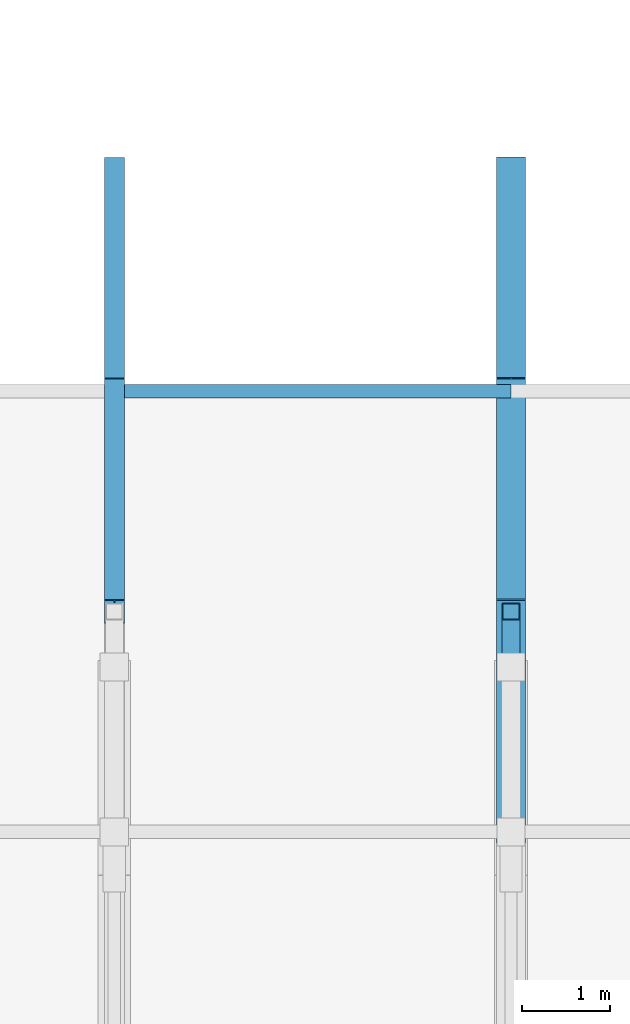
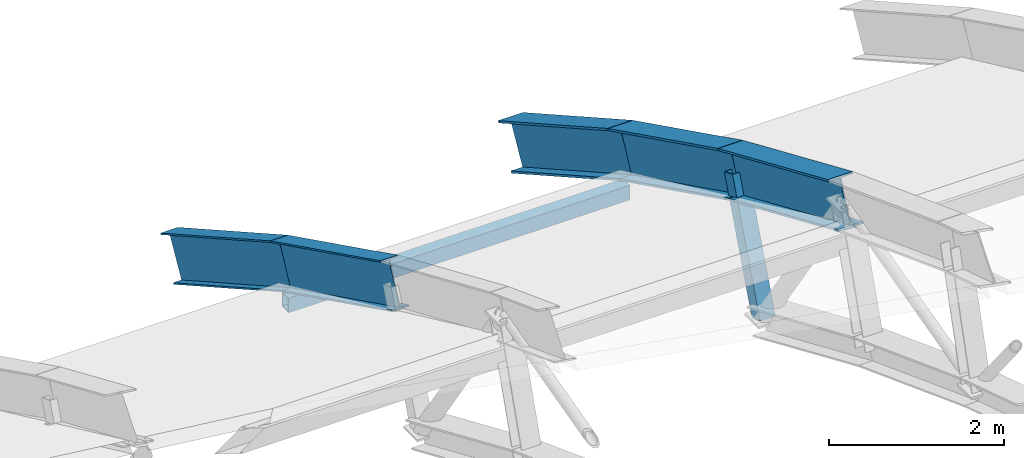
# One storey, part 49 of 103: 5 beams, 2 members.
"""IFC4 building model written with IfcOpenShell, lengths in metres."""

from ifc_helpers import new_model, si_unit, direction, frame, origin, origin_2d, place, context, subcontext, project, spatial, hollow_rectangle, i_section, extrude, material, material_profile, profile_set, type_object, element, save


model = new_model("IFC4")

# Units and contexts
model_context = context("Model", 3, precision=1e-05, world=origin(), true_north=direction((0.0, 1.0)))
body_context = subcontext(model_context, "Body", "Model", "MODEL_VIEW")
ifc_project = project(units=[si_unit("LENGTHUNIT", "METRE"), si_unit("AREAUNIT", "SQUARE_METRE"), si_unit("VOLUMEUNIT", "CUBIC_METRE"), si_unit("PLANEANGLEUNIT", "RADIAN"), si_unit("MASSUNIT", "GRAM", prefix="KILO")], contexts=[model_context])

# Site, building, storey
site_placement = place(None, origin())
site = spatial("IfcSite", under=ifc_project, at=site_placement, CompositionType="ELEMENT")
building_placement = place(site_placement, origin())
building = spatial("IfcBuilding", under=site, at=building_placement, Name="Cazmaro Siding Exhibition Halls", CompositionType="ELEMENT")
storey_placement = place(building_placement, frame((0.0, 0.0, 16.5)))
storey = spatial("IfcBuildingStorey", under=building, at=storey_placement, Name="L03", CompositionType="ELEMENT", Elevation=16.5)

# Beams
ifc_material_1 = material(Name="Steel ASTM A992 Grade 50", Category="steel")
ifc_material_profile_1 = material_profile(ifc_material_1, i_section(OverallWidth=0.327880859375, OverallDepth=0.626953125, WebThickness=0.01708984375, FlangeThickness=0.028076171875, at=origin_2d()), Name="W24X146")
ifc_profile_set_1 = profile_set([ifc_material_profile_1], Name="Steel ASTM A992 Grade 50")
beam_type_1 = type_object("IfcBeamType", Name="AR-01", PredefinedType="USERDEFINED", material=ifc_profile_set_1)
beam_1_placement = place(storey_placement, frame((126.0, 114.0, 3.1220703125), z_axis=(0.0, 0.917729918626, -0.397204980405), x_axis=(-1.0, 0.0, 0.0)))
element("IfcBeam", 1, at=beam_1_placement, inside=storey, type_object=beam_type_1, Name="Space frame barrel vault arched rib AR-01 BM-0987", ObjectType="ARCHED RIB", PredefinedType="USERDEFINED", context=body_context, shape_type="SweptSolid", body=[
    extrude(i_section(OverallWidth=0.327880859375, OverallDepth=0.626953125, WebThickness=0.01708984375, FlangeThickness=0.028076171875, at=origin_2d()), origin(), (0.0, 0.0, 1.0), 2.72412109375),
])
beam_2_placement = place(storey_placement, frame((126.0, 116.5, 2.0400390625), z_axis=(0.0, 0.895996638269, -0.444060833908), x_axis=(-1.0, 0.0, 0.0)))
element("IfcBeam", 2, at=beam_2_placement, inside=storey, type_object=beam_type_1, Name="Space frame barrel vault arched rib AR-01 BM-0988", ObjectType="ARCHED RIB", PredefinedType="USERDEFINED", context=body_context, shape_type="SweptSolid", body=[
    extrude(i_section(OverallWidth=0.327880859375, OverallDepth=0.626953125, WebThickness=0.01708984375, FlangeThickness=0.028076171875, at=origin_2d()), origin(), (0.0, 0.0, 1.0), 2.790283203125),
])
beam_3_placement = place(storey_placement, frame((126.0, 119.0, 0.801025390625), z_axis=(0.0, 0.871320907359, -0.490713639916), x_axis=(-1.0, 0.0, 0.0)))
element("IfcBeam", 3, at=beam_3_placement, inside=storey, type_object=beam_type_1, Name="Space frame barrel vault arched rib AR-01 BM-0989", ObjectType="ARCHED RIB", PredefinedType="USERDEFINED", context=body_context, shape_type="SweptSolid", body=[
    extrude(i_section(OverallWidth=0.327880859375, OverallDepth=0.626953125, WebThickness=0.01708984375, FlangeThickness=0.028076171875, at=origin_2d()), origin(), (0.0, 0.0, 1.0), 2.869140625),
])
ifc_material_2 = material(Name="Steel ASTM A992 Grade 50", Category="steel")
ifc_material_profile_2 = material_profile(ifc_material_2, i_section(OverallWidth=0.22900390625, OverallDepth=0.612060546875, WebThickness=0.011962890625, FlangeThickness=0.02001953125, at=origin_2d()), Name="W24X84")
ifc_profile_set_2 = profile_set([ifc_material_profile_2], Name="Steel ASTM A992 Grade 50")
beam_type_2 = type_object("IfcBeamType", Name="AR-03", PredefinedType="USERDEFINED", material=ifc_profile_set_2)
beam_4_placement = place(storey_placement, frame((121.5, 116.5, 2.0400390625), z_axis=(0.0, 0.895996638269, -0.444060833908), x_axis=(-1.0, 0.0, 0.0)))
element("IfcBeam", 4, at=beam_4_placement, inside=storey, type_object=beam_type_2, Name="Space frame barrel vault arched rib AR-03 BM-0964", ObjectType="ARCHED RIB", PredefinedType="USERDEFINED", context=body_context, shape_type="SweptSolid", body=[
    extrude(i_section(OverallWidth=0.22900390625, OverallDepth=0.612060546875, WebThickness=0.011962890625, FlangeThickness=0.02001953125, at=origin_2d()), origin(), (0.0, 0.0, 1.0), 2.790283203125),
])
beam_5_placement = place(storey_placement, frame((121.5, 119.0, 0.801025390625), z_axis=(0.0, 0.871320907359, -0.490713639916), x_axis=(-1.0, 0.0, 0.0)))
element("IfcBeam", 5, at=beam_5_placement, inside=storey, type_object=beam_type_2, Name="Space frame barrel vault arched rib AR-03 BM-0965", ObjectType="ARCHED RIB", PredefinedType="USERDEFINED", context=body_context, shape_type="SweptSolid", body=[
    extrude(i_section(OverallWidth=0.22900390625, OverallDepth=0.612060546875, WebThickness=0.011962890625, FlangeThickness=0.02001953125, at=origin_2d()), origin(), (0.0, 0.0, 1.0), 2.869140625),
])

# Members
ifc_material_3 = material(Name="Steel ASTM A500 Grade C", Category="steel")
ifc_material_profile_3 = material_profile(ifc_material_3, hollow_rectangle(XDim=0.152099609375, YDim=0.202880859375, WallThickness=0.011962890625, at=origin_2d()), Name="HSS8X6X1/2")
ifc_profile_set_3 = profile_set([ifc_material_profile_3], Name="Steel ASTM A500 Grade C")
member_type_1 = type_object("IfcMemberType", Name="RP-01", PredefinedType="PURLIN", material=ifc_profile_set_3)
member_1_placement = place(storey_placement, frame((121.5, 119.0, 0.260986328125), z_axis=(1.0, 0.0, 0.0), x_axis=(0.0, 1.0, 0.0)))
element("IfcMember", 6, at=member_1_placement, inside=storey, type_object=member_type_1, Name="Space frame barrel vault purlin RP-01 MEM-2179", PredefinedType="PURLIN", context=body_context, shape_type="SweptSolid", body=[
    extrude(hollow_rectangle(XDim=0.152099609375, YDim=0.202880859375, WallThickness=0.011962890625, at=origin_2d()), origin(), (0.0, 0.0, 1.0), 4.5),
])
ifc_material_4 = material(Name="Steel ASTM A500 Grade C", Category="steel")
ifc_material_profile_4 = material_profile(ifc_material_4, hollow_rectangle(XDim=0.202880859375, YDim=0.202880859375, WallThickness=0.011962890625, at=origin_2d()), Name="HSS8X8X1/2")
ifc_profile_set_4 = profile_set([ifc_material_profile_4], Name="Steel ASTM A500 Grade C")
member_type_2 = type_object("IfcMemberType", Name="TP-01", PredefinedType="POST", material=ifc_profile_set_4)
member_2_placement = place(storey_placement, frame((126.0, 115.868896484375, 0.37890625), z_axis=(0.0, 0.355155331276, 0.934807301355), x_axis=(-1.0, 0.0, 0.0)))
element("IfcMember", 7, at=member_2_placement, inside=storey, type_object=member_type_2, Name="Space frame barrel vault post TP-01 MEM-1299", PredefinedType="POST", context=body_context, shape_type="SweptSolid", body=[
    extrude(hollow_rectangle(XDim=0.202880859375, YDim=0.202880859375, WallThickness=0.011962890625, at=origin_2d()), origin(), (0.0, 0.0, 1.0), 1.777099609375),
])

save(model, "model.ifc")
